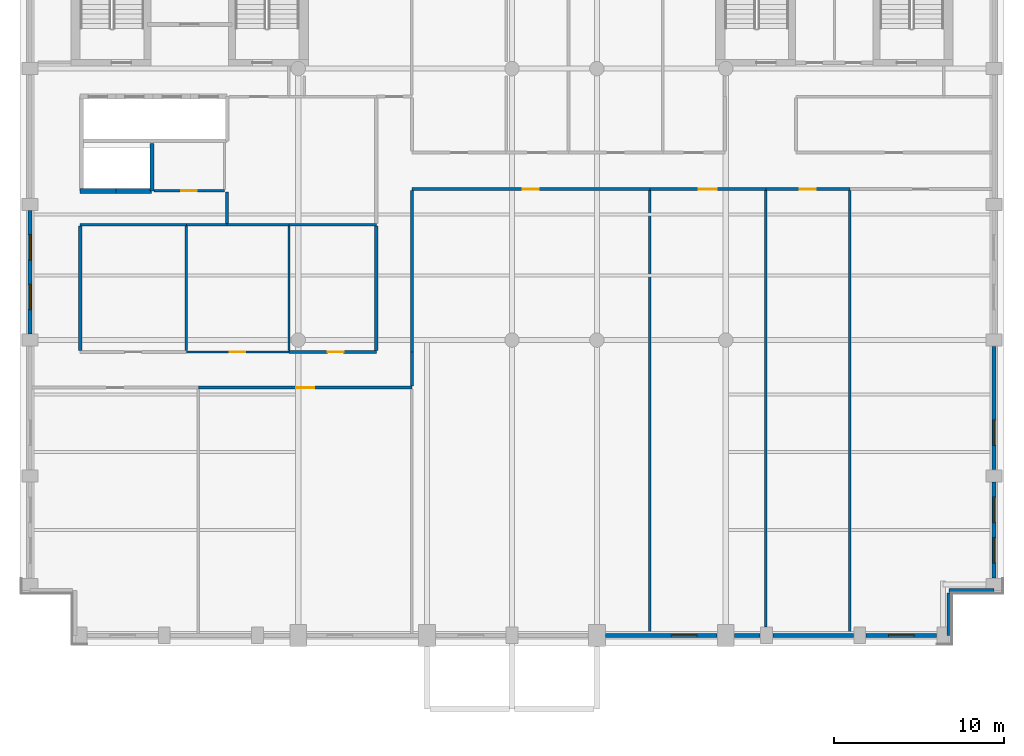
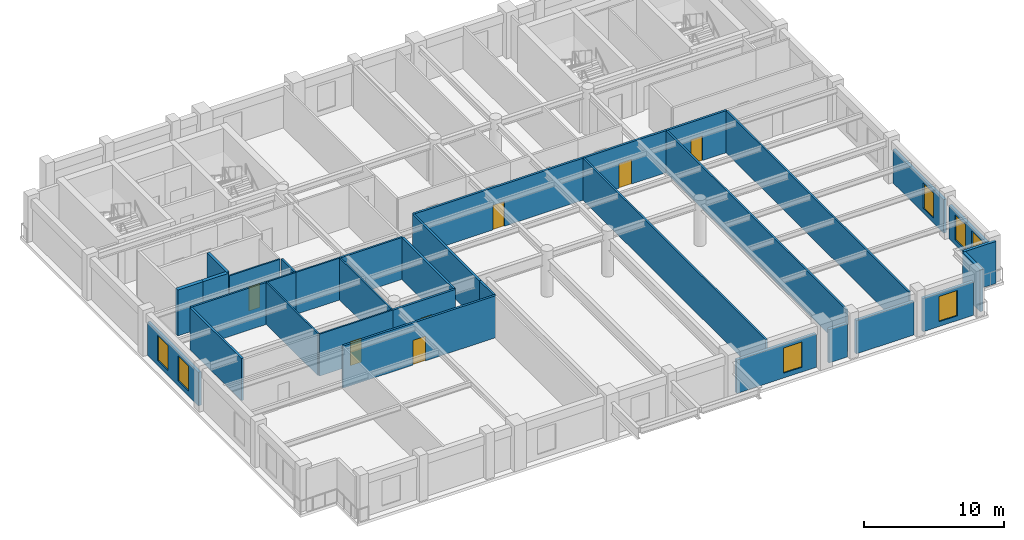
# One storey, part 3 of 9: 33 walls, 7 doors, 7 windows, 14 openings.
"""IFC4 building model written with IfcOpenShell, lengths in metres."""

from ifc_helpers import new_model, si_unit, direction, frame, frame_2d, origin, place, context, subcontext, project, spatial, rectangle, extrude, material, layer, layer_set, type_object, element, fill, save


model = new_model("IFC4")

# Units and contexts
model_context = context("Model", 3, precision=1e-05, world=origin(), true_north=direction((0.0, 1.0)))
body_context = subcontext(model_context, "Body", "Model", "MODEL_VIEW")
ifc_project = project(units=[si_unit("LENGTHUNIT", "METRE"), si_unit("AREAUNIT", "SQUARE_METRE"), si_unit("VOLUMEUNIT", "CUBIC_METRE"), si_unit("PLANEANGLEUNIT", "RADIAN"), si_unit("MASSUNIT", "GRAM", prefix="KILO")], contexts=[model_context])

# Site, building, storey
site_placement = place(None, origin())
site = spatial("IfcSite", under=ifc_project, at=site_placement, CompositionType="ELEMENT")
building_placement = place(site_placement, origin())
building = spatial("IfcBuilding", under=site, at=building_placement, Name="Sulina Concourse Tower", CompositionType="ELEMENT")
storey_placement = place(building_placement, frame((0.0, 0.0, 276.60009765625)))
storey = spatial("IfcBuildingStorey", under=building, at=storey_placement, Name="L67", CompositionType="ELEMENT", Elevation=276.60009765625)

# Walls
ifc_material_1 = material(Name="Concrete C50/60", Category="concrete")
ifc_layer_1 = layer(ifc_material_1, 0.219970703125)
ifc_layer_set_1 = layer_set([ifc_layer_1], Name="Concrete C50/60")
wall_type_1 = type_object("IfcWallType", Name="Core Lift Hoistway Divider Wall 220mm", PredefinedType="SOLIDWALL", material=ifc_layer_set_1)
wall_1_placement = place(storey_placement, frame((7.780029296875, 26.800048828125, 0.0), z_axis=(0.0, 0.0, 1.0), x_axis=(0.0, 1.0, 0.0)))
element("IfcWall", 1, at=wall_1_placement, inside=storey, type_object=wall_type_1, Name="L67 shaft divider wall HW-EXP-E", PredefinedType="SOLIDWALL", context=body_context, shape_type="SweptSolid", body=[
    extrude(rectangle(XDim=2.800048828125, YDim=0.219970703125, at=frame_2d((1.39990234375, 0.0))), origin(), (0.0, 0.0, 1.0), 4.0),
])
ifc_material_2 = material(Name="Concrete C50/60", Category="concrete")
ifc_layer_2 = layer(ifc_material_2, 0.300048828125)
ifc_layer_set_2 = layer_set([ifc_layer_2], Name="Concrete C50/60")
wall_type_2 = type_object("IfcWallType", Name="Core Lift Hoistway Wall 300mm", PredefinedType="SOLIDWALL", material=ifc_layer_set_2)
wall_2_placement = place(storey_placement, frame((5.64990234375, 26.780029296875, 0.0), z_axis=(0.0, 0.0, 1.0), x_axis=(-1.0, 0.0, 0.0)))
element("IfcWall", 2, at=wall_2_placement, inside=storey, type_object=wall_type_2, Name="L67 hoistway enclosure wall EXP-1", PredefinedType="SOLIDWALL", context=body_context, shape_type="SweptSolid", body=[
    extrude(rectangle(XDim=2.099853515625, YDim=0.300048828125, at=frame_2d((1.0498046875, 0.0))), origin(), (0.0, 0.0, 1.0), 4.0),
])
wall_3_placement = place(storey_placement, frame((7.75, 26.780029296875, 0.0), z_axis=(0.0, 0.0, 1.0), x_axis=(-1.0, 0.0, 0.0)))
element("IfcWall", 3, at=wall_3_placement, inside=storey, type_object=wall_type_2, Name="L67 hoistway enclosure wall EXP-2", PredefinedType="SOLIDWALL", context=body_context, shape_type="SweptSolid", body=[
    extrude(rectangle(XDim=2.10009765625, YDim=0.300048828125, at=frame_2d((1.050048828125, 0.0))), origin(), (0.0, 0.0, 1.0), 4.0),
])

# Wall, opening, window
ifc_material_3 = material(Name="Precast concrete C50/60", Category="concrete")
ifc_layer_3 = layer(ifc_material_3, 0.239990234375)
ifc_layer_set_3 = layer_set([ifc_layer_3], Name="Precast concrete C50/60")
wall_type_3 = type_object("IfcWallType", Name="Crown Precast Masonry-Frame Facade Wall 240mm", PredefinedType="SOLIDWALL", material=ifc_layer_set_3)
wall_4_placement = place(storey_placement, frame((41.080078125, 0.60009765625, 0.0), z_axis=(0.0, 0.0, 1.0), x_axis=(-1.0, 0.0, 0.0)))
wall_4 = element("IfcWall", 4, at=wall_4_placement, inside=storey, type_object=wall_type_3, Name="L67 exterior precast wall S7", PredefinedType="SOLIDWALL", context=body_context, shape_type="SweptSolid", body=[
    extrude(rectangle(XDim=6.56005859375, YDim=0.239990234375, at=frame_2d((3.280029296875, 0.0))), origin(), (0.0, 0.0, 1.0), 2.909912109375),
])
opening_1_placement = place(wall_4_placement, frame((1.186767578125, 0.0, 0.419921875)))
opening_1 = element("IfcOpeningElement", 5, at=opening_1_placement, cuts=wall_4, Name="Opening WN-71", PredefinedType="OPENING", context=body_context, shape_type="SweptSolid", body=[
    extrude(rectangle(XDim=1.5, YDim=2.199951171875, at=frame_2d((0.75, 1.10009765625))), frame((0.0, 0.1298828125, 0.0), z_axis=(0.0, -1.0, 0.0), x_axis=(1.0, 0.0, 0.0)), (0.0, 0.0, 1.0), 0.260009765625),
])
ifc_material_4 = material(Name="Low-E solar double glazing in bronze aluminium", Category="aluminium")
window_type = type_object("IfcWindowType", Name="Punched Masonry-Frame Window 1500x2200", PartitioningType="SINGLE_PANEL", PredefinedType="WINDOW", material=ifc_material_4)
window_1_placement = place(opening_1_placement, origin())
window_1 = element("IfcWindow", 6, at=window_1_placement, inside=storey, type_object=window_type, Name="L67 punched window S7-1", OverallHeight=2.199951171875, OverallWidth=1.5, PartitioningType="SINGLE_PANEL", PredefinedType="WINDOW", context=body_context, shape_type="SweptSolid", body=[
    extrude(rectangle(XDim=1.5, YDim=2.199951171875, at=frame_2d((0.75, 1.10009765625))), frame((0.0, 0.030029296875, 0.0), z_axis=(0.0, -1.0, 0.0), x_axis=(1.0, 0.0, 0.0)), (0.0, 0.0, 1.0), 0.06005859375),
])
fill(opening_1, window_1)

# Walls
wall_5_placement = place(storey_placement, frame((43.6298828125, 0.60009765625, 0.0), z_axis=(0.0, 0.0, 1.0), x_axis=(-1.0, 0.0, 0.0)))
element("IfcWall", 7, at=wall_5_placement, inside=storey, type_object=wall_type_3, Name="L67 exterior precast wall S8", PredefinedType="SOLIDWALL", context=body_context, shape_type="SweptSolid", body=[
    extrude(rectangle(XDim=1.509765625, YDim=0.239990234375, at=frame_2d((0.7548828125, 0.0))), origin(), (0.0, 0.0, 1.0), 2.909912109375),
])
wall_6_placement = place(storey_placement, frame((49.1298828125, 0.60009765625, 0.0), z_axis=(0.0, 0.0, 1.0), x_axis=(-1.0, 0.0, 0.0)))
element("IfcWall", 8, at=wall_6_placement, inside=storey, type_object=wall_type_3, Name="L67 exterior precast wall S9", PredefinedType="SOLIDWALL", context=body_context, shape_type="SweptSolid", body=[
    extrude(rectangle(XDim=4.759765625, YDim=0.239990234375, at=frame_2d((2.3798828125, 0.0))), origin(), (0.0, 0.0, 1.0), 2.909912109375),
])

# Wall, opening, window
wall_7_placement = place(storey_placement, frame((54.030029296875, 0.60009765625, 0.0), z_axis=(0.0, 0.0, 1.0), x_axis=(-1.0, 0.0, 0.0)))
wall_7 = element("IfcWall", 9, at=wall_7_placement, inside=storey, type_object=wall_type_3, Name="L67 exterior precast wall S10", PredefinedType="SOLIDWALL", context=body_context, shape_type="SweptSolid", body=[
    extrude(rectangle(XDim=4.159912109375, YDim=0.239990234375, at=frame_2d((2.080078125, 0.0))), origin(), (0.0, 0.0, 1.0), 2.909912109375),
])
opening_2_placement = place(wall_7_placement, frame((1.330078125, 0.0, 0.419921875)))
opening_2 = element("IfcOpeningElement", 10, at=opening_2_placement, cuts=wall_7, Name="Opening WN-71", PredefinedType="OPENING", context=body_context, shape_type="SweptSolid", body=[
    extrude(rectangle(XDim=1.5, YDim=2.199951171875, at=frame_2d((0.75, 1.10009765625))), frame((0.0, 0.1298828125, 0.0), z_axis=(0.0, -1.0, 0.0), x_axis=(1.0, 0.0, 0.0)), (0.0, 0.0, 1.0), 0.260009765625),
])
window_2_placement = place(opening_2_placement, origin())
window_2 = element("IfcWindow", 11, at=window_2_placement, inside=storey, type_object=window_type, Name="L67 punched window S10-1", OverallHeight=2.199951171875, OverallWidth=1.5, PartitioningType="SINGLE_PANEL", PredefinedType="WINDOW", context=body_context, shape_type="SweptSolid", body=[
    extrude(rectangle(XDim=1.5, YDim=2.199951171875, at=frame_2d((0.75, 1.10009765625))), frame((0.0, 0.030029296875, 0.0), z_axis=(0.0, -1.0, 0.0), x_axis=(1.0, 0.0, 0.0)), (0.0, 0.0, 1.0), 0.06005859375),
])
fill(opening_2, window_2)

# Wall, openings, windows
wall_8_placement = place(storey_placement, frame((0.60009765625, 18.3701171875, 0.0), z_axis=(0.0, 0.0, 1.0), x_axis=(0.0, 1.0, 0.0)))
wall_8 = element("IfcWall", 12, at=wall_8_placement, inside=storey, type_object=wall_type_3, Name="L67 exterior precast wall W3", PredefinedType="SOLIDWALL", context=body_context, shape_type="SweptSolid", body=[
    extrude(rectangle(XDim=7.259765625, YDim=0.239990234375, at=frame_2d((3.6298828125, 0.0))), origin(), (0.0, 0.0, 1.0), 2.909912109375),
])
opening_3_placement = place(wall_8_placement, frame((1.419921875, 0.0, 0.419921875)))
opening_3 = element("IfcOpeningElement", 13, at=opening_3_placement, cuts=wall_8, Name="Opening WN-71", PredefinedType="OPENING", context=body_context, shape_type="SweptSolid", body=[
    extrude(rectangle(XDim=1.5, YDim=2.199951171875, at=frame_2d((0.75, 1.10009765625))), frame((0.0, 0.1298828125, 0.0), z_axis=(0.0, -1.0, 0.0), x_axis=(1.0, 0.0, 0.0)), (0.0, 0.0, 1.0), 0.260009765625),
])
opening_4_placement = place(wall_8_placement, frame((4.340087890625, 0.0, 0.419921875)))
opening_4 = element("IfcOpeningElement", 14, at=opening_4_placement, cuts=wall_8, Name="Opening WN-71", PredefinedType="OPENING", context=body_context, shape_type="SweptSolid", body=[
    extrude(rectangle(XDim=1.5, YDim=2.199951171875, at=frame_2d((0.75, 1.10009765625))), frame((0.0, 0.1298828125, 0.0), z_axis=(0.0, -1.0, 0.0), x_axis=(1.0, 0.0, 0.0)), (0.0, 0.0, 1.0), 0.260009765625),
])
window_3_placement = place(opening_3_placement, origin())
window_3 = element("IfcWindow", 15, at=window_3_placement, inside=storey, type_object=window_type, Name="L67 punched window W3-1", OverallHeight=2.199951171875, OverallWidth=1.5, PartitioningType="SINGLE_PANEL", PredefinedType="WINDOW", context=body_context, shape_type="SweptSolid", body=[
    extrude(rectangle(XDim=1.5, YDim=2.199951171875, at=frame_2d((0.75, 1.10009765625))), frame((0.0, 0.030029296875, 0.0), z_axis=(0.0, -1.0, 0.0), x_axis=(1.0, 0.0, 0.0)), (0.0, 0.0, 1.0), 0.06005859375),
])
fill(opening_3, window_3)
window_4_placement = place(opening_4_placement, origin())
window_4 = element("IfcWindow", 16, at=window_4_placement, inside=storey, type_object=window_type, Name="L67 punched window W3-2", OverallHeight=2.199951171875, OverallWidth=1.5, PartitioningType="SINGLE_PANEL", PredefinedType="WINDOW", context=body_context, shape_type="SweptSolid", body=[
    extrude(rectangle(XDim=1.5, YDim=2.199951171875, at=frame_2d((0.75, 1.10009765625))), frame((0.0, 0.030029296875, 0.0), z_axis=(0.0, -1.0, 0.0), x_axis=(1.0, 0.0, 0.0)), (0.0, 0.0, 1.0), 0.06005859375),
])
fill(opening_4, window_4)

wall_9_placement = place(storey_placement, frame((57.39990234375, 9.6298828125, 0.0), z_axis=(0.0, 0.0, 1.0), x_axis=(0.0, -1.0, 0.0)))
wall_9 = element("IfcWall", 17, at=wall_9_placement, inside=storey, type_object=wall_type_3, Name="L67 exterior precast wall E1", PredefinedType="SOLIDWALL", context=body_context, shape_type="SweptSolid", body=[
    extrude(rectangle(XDim=5.659912109375, YDim=0.239990234375, at=frame_2d((2.830078125, 0.0))), origin(), (0.0, 0.0, 1.0), 2.909912109375),
])
opening_5_placement = place(wall_9_placement, frame((0.88671875, 0.0, 0.419921875)))
opening_5 = element("IfcOpeningElement", 18, at=opening_5_placement, cuts=wall_9, Name="Opening WN-71", PredefinedType="OPENING", context=body_context, shape_type="SweptSolid", body=[
    extrude(rectangle(XDim=1.5, YDim=2.199951171875, at=frame_2d((0.75, 1.10009765625))), frame((0.0, 0.1298828125, 0.0), z_axis=(0.0, -1.0, 0.0), x_axis=(1.0, 0.0, 0.0)), (0.0, 0.0, 1.0), 0.260009765625),
])
opening_6_placement = place(wall_9_placement, frame((3.273193359375, 0.0, 0.419921875)))
opening_6 = element("IfcOpeningElement", 19, at=opening_6_placement, cuts=wall_9, Name="Opening WN-71", PredefinedType="OPENING", context=body_context, shape_type="SweptSolid", body=[
    extrude(rectangle(XDim=1.5, YDim=2.199951171875, at=frame_2d((0.75, 1.10009765625))), frame((0.0, 0.1298828125, 0.0), z_axis=(0.0, -1.0, 0.0), x_axis=(1.0, 0.0, 0.0)), (0.0, 0.0, 1.0), 0.260009765625),
])
window_5_placement = place(opening_5_placement, origin())
window_5 = element("IfcWindow", 20, at=window_5_placement, inside=storey, type_object=window_type, Name="L67 punched window E1-1", OverallHeight=2.199951171875, OverallWidth=1.5, PartitioningType="SINGLE_PANEL", PredefinedType="WINDOW", context=body_context, shape_type="SweptSolid", body=[
    extrude(rectangle(XDim=1.5, YDim=2.199951171875, at=frame_2d((0.75, 1.10009765625))), frame((0.0, 0.030029296875, 0.0), z_axis=(0.0, -1.0, 0.0), x_axis=(1.0, 0.0, 0.0)), (0.0, 0.0, 1.0), 0.06005859375),
])
fill(opening_5, window_5)
window_6_placement = place(opening_6_placement, origin())
window_6 = element("IfcWindow", 21, at=window_6_placement, inside=storey, type_object=window_type, Name="L67 punched window E1-2", OverallHeight=2.199951171875, OverallWidth=1.5, PartitioningType="SINGLE_PANEL", PredefinedType="WINDOW", context=body_context, shape_type="SweptSolid", body=[
    extrude(rectangle(XDim=1.5, YDim=2.199951171875, at=frame_2d((0.75, 1.10009765625))), frame((0.0, 0.030029296875, 0.0), z_axis=(0.0, -1.0, 0.0), x_axis=(1.0, 0.0, 0.0)), (0.0, 0.0, 1.0), 0.06005859375),
])
fill(opening_6, window_6)

# Wall, opening, window
wall_10_placement = place(storey_placement, frame((57.39990234375, 17.6298828125, 0.0), z_axis=(0.0, 0.0, 1.0), x_axis=(0.0, -1.0, 0.0)))
wall_10 = element("IfcWall", 22, at=wall_10_placement, inside=storey, type_object=wall_type_3, Name="L67 exterior precast wall E2", PredefinedType="SOLIDWALL", context=body_context, shape_type="SweptSolid", body=[
    extrude(rectangle(XDim=7.259765625, YDim=0.239990234375, at=frame_2d((3.6298828125, 0.0))), origin(), (0.0, 0.0, 1.0), 2.909912109375),
])
opening_7_placement = place(wall_10_placement, frame((4.340087890625, 0.0, 0.419921875)))
opening_7 = element("IfcOpeningElement", 23, at=opening_7_placement, cuts=wall_10, Name="Opening WN-71", PredefinedType="OPENING", context=body_context, shape_type="SweptSolid", body=[
    extrude(rectangle(XDim=1.5, YDim=2.199951171875, at=frame_2d((0.75, 1.10009765625))), frame((0.0, 0.1298828125, 0.0), z_axis=(0.0, -1.0, 0.0), x_axis=(1.0, 0.0, 0.0)), (0.0, 0.0, 1.0), 0.260009765625),
])
window_7_placement = place(opening_7_placement, origin())
window_7 = element("IfcWindow", 24, at=window_7_placement, inside=storey, type_object=window_type, Name="L67 punched window E2-1", OverallHeight=2.199951171875, OverallWidth=1.5, PartitioningType="SINGLE_PANEL", PredefinedType="WINDOW", context=body_context, shape_type="SweptSolid", body=[
    extrude(rectangle(XDim=1.5, YDim=2.199951171875, at=frame_2d((0.75, 1.10009765625))), frame((0.0, 0.030029296875, 0.0), z_axis=(0.0, -1.0, 0.0), x_axis=(1.0, 0.0, 0.0)), (0.0, 0.0, 1.0), 0.06005859375),
])
fill(opening_7, window_7)

# Walls
wall_11_placement = place(storey_placement, frame((57.39990234375, 3.22998046875, 0.0), z_axis=(0.0, 0.0, 1.0), x_axis=(-1.0, 0.0, 0.0)))
element("IfcWall", 25, at=wall_11_placement, inside=storey, type_object=wall_type_3, Name="L67 exterior precast wall CSE1", PredefinedType="SOLIDWALL", context=body_context, shape_type="SweptSolid", body=[
    extrude(rectangle(XDim=2.6298828125, YDim=0.239990234375, at=frame_2d((1.31494140625, 0.0))), origin(), (0.0, 0.0, 1.0), 3.659912109375),
])
wall_12_placement = place(storey_placement, frame((54.77001953125, 3.10498046875, 0.0), z_axis=(0.0, 0.0, 1.0), x_axis=(0.0, -1.0, 0.0)))
element("IfcWall", 26, at=wall_12_placement, inside=storey, type_object=wall_type_3, Name="L67 exterior precast wall CSE2", PredefinedType="SOLIDWALL", context=body_context, shape_type="SweptSolid", body=[
    extrude(rectangle(XDim=2.5048828125, YDim=0.239990234375, at=frame_2d((1.25244140625, 0.0))), origin(), (0.0, 0.0, 1.0), 3.659912109375),
])
ifc_material_5 = material(Name="Gypsum board on steel stud", Category="steel")
ifc_layer_4 = layer(ifc_material_5, 0.14990234375)
ifc_layer_set_4 = layer_set([ifc_layer_4], Name="Gypsum board on steel stud")
wall_type_4 = type_object("IfcWallType", Name="Inter-Tenancy Acoustic Partition 150mm", PredefinedType="PARTITIONING", material=ifc_layer_set_4)
wall_13_placement = place(storey_placement, frame((3.550048828125, 24.800048828125, 0.0), z_axis=(0.0, 0.0, 1.0), x_axis=(1.0, 0.0, 0.0)))
element("IfcWall", 27, at=wall_13_placement, inside=storey, type_object=wall_type_4, Name="L67 interior partition 006", PredefinedType="PARTITIONING", context=body_context, shape_type="SweptSolid", body=[
    extrude(rectangle(XDim=6.25, YDim=0.14990234375, at=frame_2d((3.125, 0.0))), origin(), (0.0, 0.0, 1.0), 3.659912109375),
])
wall_14_placement = place(storey_placement, frame((15.85009765625, 24.800048828125, 0.0), z_axis=(0.0, 0.0, 1.0), x_axis=(1.0, 0.0, 0.0)))
element("IfcWall", 28, at=wall_14_placement, inside=storey, type_object=wall_type_4, Name="L67 interior partition 009", PredefinedType="PARTITIONING", context=body_context, shape_type="SweptSolid", body=[
    extrude(rectangle(XDim=5.14990234375, YDim=0.14990234375, at=frame_2d((2.574951171875, 0.0))), origin(), (0.0, 0.0, 1.0), 3.659912109375),
])
wall_15_placement = place(storey_placement, frame((12.199951171875, 24.862548828125, 0.0), z_axis=(0.0, 0.0, 1.0), x_axis=(0.0, 1.0, 0.0)))
element("IfcWall", 29, at=wall_15_placement, inside=storey, type_object=wall_type_4, Name="L67 interior partition 033", PredefinedType="PARTITIONING", context=body_context, shape_type="SweptSolid", body=[
    extrude(rectangle(XDim=1.875, YDim=0.14990234375, at=frame_2d((0.9375, 0.0))), origin(), (0.0, 0.0, 1.0), 3.659912109375),
])
wall_16_placement = place(storey_placement, frame((37.1201171875, 0.719970703125, 0.0), z_axis=(0.0, 0.0, 1.0), x_axis=(0.0, 1.0, 0.0)))
element("IfcWall", 30, at=wall_16_placement, inside=storey, type_object=wall_type_4, Name="L67 interior partition 047", PredefinedType="PARTITIONING", context=body_context, shape_type="SweptSolid", body=[
    extrude(rectangle(XDim=26.090087890625, YDim=0.14990234375, at=frame_2d((13.044921875, 0.0))), origin(), (0.0, 0.0, 1.0), 3.659912109375),
])
wall_17_placement = place(storey_placement, frame((43.9599609375, 1.074951171875, 0.0), z_axis=(0.0, 0.0, 1.0), x_axis=(0.0, 1.0, 0.0)))
element("IfcWall", 31, at=wall_17_placement, inside=storey, type_object=wall_type_4, Name="L67 interior partition 052", PredefinedType="PARTITIONING", context=body_context, shape_type="SweptSolid", body=[
    extrude(rectangle(XDim=25.735107421875, YDim=0.14990234375, at=frame_2d((12.86767578125, 0.0))), origin(), (0.0, 0.0, 1.0), 3.659912109375),
])
wall_18_placement = place(storey_placement, frame((48.919921875, 0.719970703125, 0.0), z_axis=(0.0, 0.0, 1.0), x_axis=(0.0, 1.0, 0.0)))
element("IfcWall", 32, at=wall_18_placement, inside=storey, type_object=wall_type_4, Name="L67 interior partition 055", PredefinedType="PARTITIONING", context=body_context, shape_type="SweptSolid", body=[
    extrude(rectangle(XDim=26.090087890625, YDim=0.14990234375, at=frame_2d((13.044921875, 0.0))), origin(), (0.0, 0.0, 1.0), 3.659912109375),
])

# Wall, opening, door
ifc_material_6 = material(Name="Gypsum board on steel stud", Category="steel")
ifc_layer_5 = layer(ifc_material_6, 0.179931640625)
ifc_layer_set_5 = layer_set([ifc_layer_5], Name="Gypsum board on steel stud")
wall_type_5 = type_object("IfcWallType", Name="Protected Corridor & Riser Partition 180mm", PredefinedType="PARTITIONING", material=ifc_layer_set_5)
wall_19_placement = place(storey_placement, frame((10.52001953125, 15.199951171875, 0.0), z_axis=(0.0, 0.0, 1.0), x_axis=(1.0, 0.0, 0.0)))
wall_19 = element("IfcWall", 33, at=wall_19_placement, inside=storey, type_object=wall_type_5, Name="L67 interior partition 002", PredefinedType="PARTITIONING", context=body_context, shape_type="SweptSolid", body=[
    extrude(rectangle(XDim=12.580078125, YDim=0.179931640625, at=frame_2d((6.2900390625, 0.0))), origin(), (0.0, 0.0, 1.0), 3.659912109375),
])
opening_8_placement = place(wall_19_placement, frame((5.764892578125, 0.0, 0.0)))
opening_8 = element("IfcOpeningElement", 34, at=opening_8_placement, cuts=wall_19, Name="Opening DR-37", PredefinedType="OPENING", context=body_context, shape_type="SweptSolid", body=[
    extrude(rectangle(XDim=1.050048828125, YDim=2.14990234375, at=frame_2d((0.52490234375, 1.074951171875))), frame((0.0, 0.099853515625, 0.0), z_axis=(0.0, -1.0, 0.0), x_axis=(1.0, 0.0, 0.0)), (0.0, 0.0, 1.0), 0.199951171875),
])
ifc_material_7 = material(Name="Oak-veneered fire door leaf")
ifc_layer_6 = layer(ifc_material_7, 0.050048828125)
ifc_layer_set_6 = layer_set([ifc_layer_6], Name="Oak-veneered fire door leaf")
door_type_1 = type_object("IfcDoorType", Name="Tenant Suite Entrance Fire Door 1050x2150", OperationType="NOTDEFINED", PredefinedType="DOOR", material=ifc_layer_set_6)
door_1_placement = place(opening_8_placement, origin())
door_1 = element("IfcDoor", 35, at=door_1_placement, inside=storey, type_object=door_type_1, Name="L67 interior door L67-S02", OperationType="SINGLE_SWING_RIGHT", OverallHeight=2.14990234375, OverallWidth=1.050048828125, PredefinedType="DOOR", context=body_context, shape_type="SweptSolid", body=[
    extrude(rectangle(XDim=1.050048828125, YDim=2.14990234375, at=frame_2d((0.52490234375, 1.074951171875))), frame((0.0, 0.02490234375, 0.0), z_axis=(0.0, -1.0, 0.0), x_axis=(1.0, 0.0, 0.0)), (0.0, 0.0, 1.0), 0.050048828125),
])
fill(opening_8, door_1)

wall_20_placement = place(storey_placement, frame((15.85009765625, 17.300048828125, 0.0), z_axis=(0.0, 0.0, 1.0), x_axis=(1.0, 0.0, 0.0)))
wall_20 = element("IfcWall", 36, at=wall_20_placement, inside=storey, type_object=wall_type_5, Name="L67 interior partition 005", PredefinedType="PARTITIONING", context=body_context, shape_type="SweptSolid", body=[
    extrude(rectangle(XDim=5.14990234375, YDim=0.179931640625, at=frame_2d((2.574951171875, 0.0))), origin(), (0.0, 0.0, 1.0), 3.659912109375),
])
opening_9_placement = place(wall_20_placement, frame((2.280029296875, 0.0, 0.0)))
opening_9 = element("IfcOpeningElement", 37, at=opening_9_placement, cuts=wall_20, Name="Opening DR-19", PredefinedType="OPENING", context=body_context, shape_type="SweptSolid", body=[
    extrude(rectangle(XDim=0.949951171875, YDim=2.14990234375, at=frame_2d((0.47509765625, 1.074951171875))), frame((0.0, 0.099853515625, 0.0), z_axis=(0.0, -1.0, 0.0), x_axis=(1.0, 0.0, 0.0)), (0.0, 0.0, 1.0), 0.199951171875),
])
ifc_material_8 = material(Name="Oak-veneered acoustic timber leaf", Category="wood")
ifc_layer_7 = layer(ifc_material_8, 0.050048828125)
ifc_layer_set_7 = layer_set([ifc_layer_7], Name="Oak-veneered acoustic timber leaf")
door_type_2 = type_object("IfcDoorType", Name="Cellular Office & Meeting Door 950x2150", OperationType="NOTDEFINED", PredefinedType="DOOR", material=ifc_layer_set_7)
door_2_placement = place(opening_9_placement, origin())
door_2 = element("IfcDoor", 38, at=door_2_placement, inside=storey, type_object=door_type_2, Name="L67 interior door L67-NZ-PKW", OperationType="SINGLE_SWING_LEFT", OverallHeight=2.14990234375, OverallWidth=0.949951171875, PredefinedType="DOOR", context=body_context, shape_type="SweptSolid", body=[
    extrude(rectangle(XDim=0.949951171875, YDim=2.14990234375, at=frame_2d((0.47509765625, 1.074951171875))), frame((0.0, 0.02490234375, 0.0), z_axis=(0.0, -1.0, 0.0), x_axis=(1.0, 0.0, 0.0)), (0.0, 0.0, 1.0), 0.050048828125),
])
fill(opening_9, door_2)

wall_21_placement = place(storey_placement, frame((23.10009765625, 26.89990234375, 0.0), z_axis=(0.0, 0.0, 1.0), x_axis=(1.0, 0.0, 0.0)))
wall_21 = element("IfcWall", 39, at=wall_21_placement, inside=storey, type_object=wall_type_5, Name="L67 interior partition 011", PredefinedType="PARTITIONING", context=body_context, shape_type="SweptSolid", body=[
    extrude(rectangle(XDim=14.02001953125, YDim=0.179931640625, at=frame_2d((7.010009765625, 0.0))), origin(), (0.0, 0.0, 1.0), 3.659912109375),
])
opening_10_placement = place(wall_21_placement, frame((6.534912109375, 0.0, 0.0)))
opening_10 = element("IfcOpeningElement", 40, at=opening_10_placement, cuts=wall_21, Name="Opening DR-19", PredefinedType="OPENING", context=body_context, shape_type="SweptSolid", body=[
    extrude(rectangle(XDim=0.949951171875, YDim=2.14990234375, at=frame_2d((0.47509765625, 1.074951171875))), frame((0.0, 0.099853515625, 0.0), z_axis=(0.0, -1.0, 0.0), x_axis=(1.0, 0.0, 0.0)), (0.0, 0.0, 1.0), 0.199951171875),
])
door_3_placement = place(opening_10_placement, origin())
door_3 = element("IfcDoor", 41, at=door_3_placement, inside=storey, type_object=door_type_2, Name="L67 interior door L67-S03", OperationType="SINGLE_SWING_LEFT", OverallHeight=2.14990234375, OverallWidth=0.949951171875, PredefinedType="DOOR", context=body_context, shape_type="SweptSolid", body=[
    extrude(rectangle(XDim=0.949951171875, YDim=2.14990234375, at=frame_2d((0.47509765625, 1.074951171875))), frame((0.0, 0.02490234375, 0.0), z_axis=(0.0, -1.0, 0.0), x_axis=(1.0, 0.0, 0.0)), (0.0, 0.0, 1.0), 0.050048828125),
])
fill(opening_10, door_3)

wall_22_placement = place(storey_placement, frame((37.1201171875, 26.89990234375, 0.0), z_axis=(0.0, 0.0, 1.0), x_axis=(1.0, 0.0, 0.0)))
wall_22 = element("IfcWall", 42, at=wall_22_placement, inside=storey, type_object=wall_type_5, Name="L67 interior partition 012", PredefinedType="PARTITIONING", context=body_context, shape_type="SweptSolid", body=[
    extrude(rectangle(XDim=6.83984375, YDim=0.179931640625, at=frame_2d((3.419921875, 0.0))), origin(), (0.0, 0.0, 1.0), 3.659912109375),
])
opening_11_placement = place(wall_22_placement, frame((2.89501953125, 0.0, 0.0)))
opening_11 = element("IfcOpeningElement", 43, at=opening_11_placement, cuts=wall_22, Name="Opening DR-37", PredefinedType="OPENING", context=body_context, shape_type="SweptSolid", body=[
    extrude(rectangle(XDim=1.050048828125, YDim=2.14990234375, at=frame_2d((0.52490234375, 1.074951171875))), frame((0.0, 0.099853515625, 0.0), z_axis=(0.0, -1.0, 0.0), x_axis=(1.0, 0.0, 0.0)), (0.0, 0.0, 1.0), 0.199951171875),
])
door_4_placement = place(opening_11_placement, origin())
door_4 = element("IfcDoor", 44, at=door_4_placement, inside=storey, type_object=door_type_1, Name="L67 interior door L67-S04A", OperationType="SINGLE_SWING_RIGHT", OverallHeight=2.14990234375, OverallWidth=1.050048828125, PredefinedType="DOOR", context=body_context, shape_type="SweptSolid", body=[
    extrude(rectangle(XDim=1.050048828125, YDim=2.14990234375, at=frame_2d((0.52490234375, 1.074951171875))), frame((0.0, 0.02490234375, 0.0), z_axis=(0.0, -1.0, 0.0), x_axis=(1.0, 0.0, 0.0)), (0.0, 0.0, 1.0), 0.050048828125),
])
fill(opening_11, door_4)

wall_23_placement = place(storey_placement, frame((43.9599609375, 26.89990234375, 0.0), z_axis=(0.0, 0.0, 1.0), x_axis=(1.0, 0.0, 0.0)))
wall_23 = element("IfcWall", 45, at=wall_23_placement, inside=storey, type_object=wall_type_5, Name="L67 interior partition 013", PredefinedType="PARTITIONING", context=body_context, shape_type="SweptSolid", body=[
    extrude(rectangle(XDim=4.9599609375, YDim=0.179931640625, at=frame_2d((2.47998046875, 0.0))), origin(), (0.0, 0.0, 1.0), 3.659912109375),
])
opening_12_placement = place(wall_23_placement, frame((2.0048828125, 0.0, 0.0)))
opening_12 = element("IfcOpeningElement", 46, at=opening_12_placement, cuts=wall_23, Name="Opening DR-19", PredefinedType="OPENING", context=body_context, shape_type="SweptSolid", body=[
    extrude(rectangle(XDim=0.949951171875, YDim=2.14990234375, at=frame_2d((0.47509765625, 1.074951171875))), frame((0.0, 0.099853515625, 0.0), z_axis=(0.0, -1.0, 0.0), x_axis=(1.0, 0.0, 0.0)), (0.0, 0.0, 1.0), 0.199951171875),
])
door_5_placement = place(opening_12_placement, origin())
door_5 = element("IfcDoor", 47, at=door_5_placement, inside=storey, type_object=door_type_2, Name="L67 interior door L67-S04B", OperationType="SINGLE_SWING_LEFT", OverallHeight=2.14990234375, OverallWidth=0.949951171875, PredefinedType="DOOR", context=body_context, shape_type="SweptSolid", body=[
    extrude(rectangle(XDim=0.949951171875, YDim=2.14990234375, at=frame_2d((0.47509765625, 1.074951171875))), frame((0.0, 0.02490234375, 0.0), z_axis=(0.0, -1.0, 0.0), x_axis=(1.0, 0.0, 0.0)), (0.0, 0.0, 1.0), 0.050048828125),
])
fill(opening_12, door_5)

# Walls
for number, where, z_axis, x_axis, name in (
    (48, (3.550048828125, 17.389892578125, 0.0), (0.0, 0.0, 1.0), (0.0, 1.0, 0.0), "L67 interior partition 029"),
    (49, (21.0, 17.389892578125, 0.0), (0.0, 0.0, 1.0), (0.0, 1.0, 0.0), "L67 interior partition 037"),
):
    element("IfcWall", number, at=place(storey_placement, frame(where, z_axis=z_axis, x_axis=x_axis)), inside=storey, type_object=wall_type_5, Name=name, PredefinedType="PARTITIONING", context=body_context, shape_type="SweptSolid", body=[
        extrude(rectangle(XDim=7.335205078125, YDim=0.179931640625, at=frame_2d((3.66748046875, 0.0))), origin(), (0.0, 0.0, 1.0), 3.659912109375),
    ])
wall_24_placement = place(storey_placement, frame((23.10009765625, 15.2900390625, 0.0), z_axis=(0.0, 0.0, 1.0), x_axis=(0.0, 1.0, 0.0)))
element("IfcWall", 50, at=wall_24_placement, inside=storey, type_object=wall_type_5, Name="L67 interior partition 040", PredefinedType="PARTITIONING", context=body_context, shape_type="SweptSolid", body=[
    extrude(rectangle(XDim=2.010009765625, YDim=0.179931640625, at=frame_2d((1.0048828125, 0.0))), origin(), (0.0, 0.0, 1.0), 3.659912109375),
])
wall_25_placement = place(storey_placement, frame((23.10009765625, 17.300048828125, 0.0), z_axis=(0.0, 0.0, 1.0), x_axis=(0.0, 1.0, 0.0)))
element("IfcWall", 51, at=wall_25_placement, inside=storey, type_object=wall_type_5, Name="L67 interior partition 041", PredefinedType="PARTITIONING", context=body_context, shape_type="SweptSolid", body=[
    extrude(rectangle(XDim=9.510009765625, YDim=0.179931640625, at=frame_2d((4.7548828125, 0.0))), origin(), (0.0, 0.0, 1.0), 3.659912109375),
])

# Wall, opening, door
ifc_material_9 = material(Name="Gypsum board on steel stud", Category="steel")
ifc_layer_8 = layer(ifc_material_9, 0.125)
ifc_layer_set_8 = layer_set([ifc_layer_8], Name="Gypsum board on steel stud")
wall_type_6 = type_object("IfcWallType", Name="Wet-Area Moisture-Resistant Partition 125mm", PredefinedType="PARTITIONING", material=ifc_layer_set_8)
wall_26_placement = place(storey_placement, frame((9.800048828125, 17.300048828125, 0.0), z_axis=(0.0, 0.0, 1.0), x_axis=(1.0, 0.0, 0.0)))
wall_26 = element("IfcWall", 52, at=wall_26_placement, inside=storey, type_object=wall_type_6, Name="L67 interior partition 004", PredefinedType="PARTITIONING", context=body_context, shape_type="SweptSolid", body=[
    extrude(rectangle(XDim=6.050048828125, YDim=0.125, at=frame_2d((3.02490234375, 0.0))), origin(), (0.0, 0.0, 1.0), 3.659912109375),
])
opening_13_placement = place(wall_26_placement, frame((2.574951171875, 0.0, 0.0)))
opening_13 = element("IfcOpeningElement", 53, at=opening_13_placement, cuts=wall_26, Name="Opening DR-21", PredefinedType="OPENING", context=body_context, shape_type="SweptSolid", body=[
    extrude(rectangle(XDim=0.89990234375, YDim=2.10009765625, at=frame_2d((0.449951171875, 1.050048828125))), frame((0.0, 0.072509765625, 0.0), z_axis=(0.0, -1.0, 0.0), x_axis=(1.0, 0.0, 0.0)), (0.0, 0.0, 1.0), 0.14501953125),
])
ifc_material_10 = material(Name="Oak-veneered fire door leaf")
ifc_layer_9 = layer(ifc_material_10, 0.050048828125)
ifc_layer_set_9 = layer_set([ifc_layer_9], Name="Oak-veneered fire door leaf")
door_type_3 = type_object("IfcDoorType", Name="Restroom & Service Door 900x2100", OperationType="NOTDEFINED", PredefinedType="DOOR", material=ifc_layer_set_9)
door_6_placement = place(opening_13_placement, origin())
door_6 = element("IfcDoor", 54, at=door_6_placement, inside=storey, type_object=door_type_3, Name="L67 interior door L67-LR-MRG2", OperationType="SINGLE_SWING_RIGHT", OverallHeight=2.10009765625, OverallWidth=0.89990234375, PredefinedType="DOOR", context=body_context, shape_type="SweptSolid", body=[
    extrude(rectangle(XDim=0.89990234375, YDim=2.10009765625, at=frame_2d((0.449951171875, 1.050048828125))), frame((0.0, 0.02490234375, 0.0), z_axis=(0.0, -1.0, 0.0), x_axis=(1.0, 0.0, 0.0)), (0.0, 0.0, 1.0), 0.050048828125),
])
fill(opening_13, door_6)

# Walls
wall_27_placement = place(storey_placement, frame((9.800048828125, 24.800048828125, 0.0), z_axis=(0.0, 0.0, 1.0), x_axis=(1.0, 0.0, 0.0)))
element("IfcWall", 55, at=wall_27_placement, inside=storey, type_object=wall_type_6, Name="L67 interior partition 007", PredefinedType="PARTITIONING", context=body_context, shape_type="SweptSolid", body=[
    extrude(rectangle(XDim=2.39990234375, YDim=0.125, at=frame_2d((1.199951171875, 0.0))), origin(), (0.0, 0.0, 1.0), 3.659912109375),
])
wall_28_placement = place(storey_placement, frame((12.199951171875, 24.800048828125, 0.0), z_axis=(0.0, 0.0, 1.0), x_axis=(1.0, 0.0, 0.0)))
element("IfcWall", 56, at=wall_28_placement, inside=storey, type_object=wall_type_6, Name="L67 interior partition 008", PredefinedType="PARTITIONING", context=body_context, shape_type="SweptSolid", body=[
    extrude(rectangle(XDim=3.650146484375, YDim=0.125, at=frame_2d((1.8251953125, 0.0))), origin(), (0.0, 0.0, 1.0), 3.659912109375),
])

# Wall, opening, door
wall_29_placement = place(storey_placement, frame((7.889892578125, 26.800048828125, 0.0), z_axis=(0.0, 0.0, 1.0), x_axis=(1.0, 0.0, 0.0)))
wall_29 = element("IfcWall", 57, at=wall_29_placement, inside=storey, type_object=wall_type_6, Name="L67 interior partition 010", PredefinedType="PARTITIONING", context=body_context, shape_type="SweptSolid", body=[
    extrude(rectangle(XDim=4.16015625, YDim=0.125, at=frame_2d((2.080078125, 0.0))), origin(), (0.0, 0.0, 1.0), 3.659912109375),
])
opening_14_placement = place(wall_29_placement, frame((1.6201171875, 0.0, 0.0)))
opening_14 = element("IfcOpeningElement", 58, at=opening_14_placement, cuts=wall_29, Name="Opening DR-61", PredefinedType="OPENING", context=body_context, shape_type="SweptSolid", body=[
    extrude(rectangle(XDim=0.919921875, YDim=2.10009765625, at=frame_2d((0.4599609375, 1.050048828125))), frame((0.0, 0.072509765625, 0.0), z_axis=(0.0, -1.0, 0.0), x_axis=(1.0, 0.0, 0.0)), (0.0, 0.0, 1.0), 0.14501953125),
])
ifc_material_11 = material(Name="Oak-veneered fire door leaf")
ifc_layer_10 = layer(ifc_material_11, 0.050048828125)
ifc_layer_set_10 = layer_set([ifc_layer_10], Name="Oak-veneered fire door leaf")
door_type_4 = type_object("IfcDoorType", Name="Accessible WC Door 920x2100", OperationType="NOTDEFINED", PredefinedType="DOOR", material=ifc_layer_set_10)
door_7_placement = place(opening_14_placement, origin())
door_7 = element("IfcDoor", 59, at=door_7_placement, inside=storey, type_object=door_type_4, Name="L67 interior door L67-WC-ACC", OperationType="SINGLE_SWING_RIGHT", OverallHeight=2.10009765625, OverallWidth=0.919921875, PredefinedType="DOOR", context=body_context, shape_type="SweptSolid", body=[
    extrude(rectangle(XDim=0.919921875, YDim=2.10009765625, at=frame_2d((0.4599609375, 1.050048828125))), frame((0.0, 0.02490234375, 0.0), z_axis=(0.0, -1.0, 0.0), x_axis=(1.0, 0.0, 0.0)), (0.0, 0.0, 1.0), 0.050048828125),
])
fill(opening_14, door_7)

# Walls
for number, where, z_axis, x_axis, name in (
    (60, (9.800048828125, 17.389892578125, 0.0), (0.0, 0.0, 1.0), (0.0, 1.0, 0.0), "L67 interior partition 030"),
    (61, (15.85009765625, 17.389892578125, 0.0), (0.0, 0.0, 1.0), (0.0, 1.0, 0.0), "L67 interior partition 034"),
):
    element("IfcWall", number, at=place(storey_placement, frame(where, z_axis=z_axis, x_axis=x_axis)), inside=storey, type_object=wall_type_6, Name=name, PredefinedType="PARTITIONING", context=body_context, shape_type="SweptSolid", body=[
        extrude(rectangle(XDim=7.335205078125, YDim=0.125, at=frame_2d((3.66748046875, 0.0))), origin(), (0.0, 0.0, 1.0), 3.659912109375),
    ])

save(model, "model.ifc")
